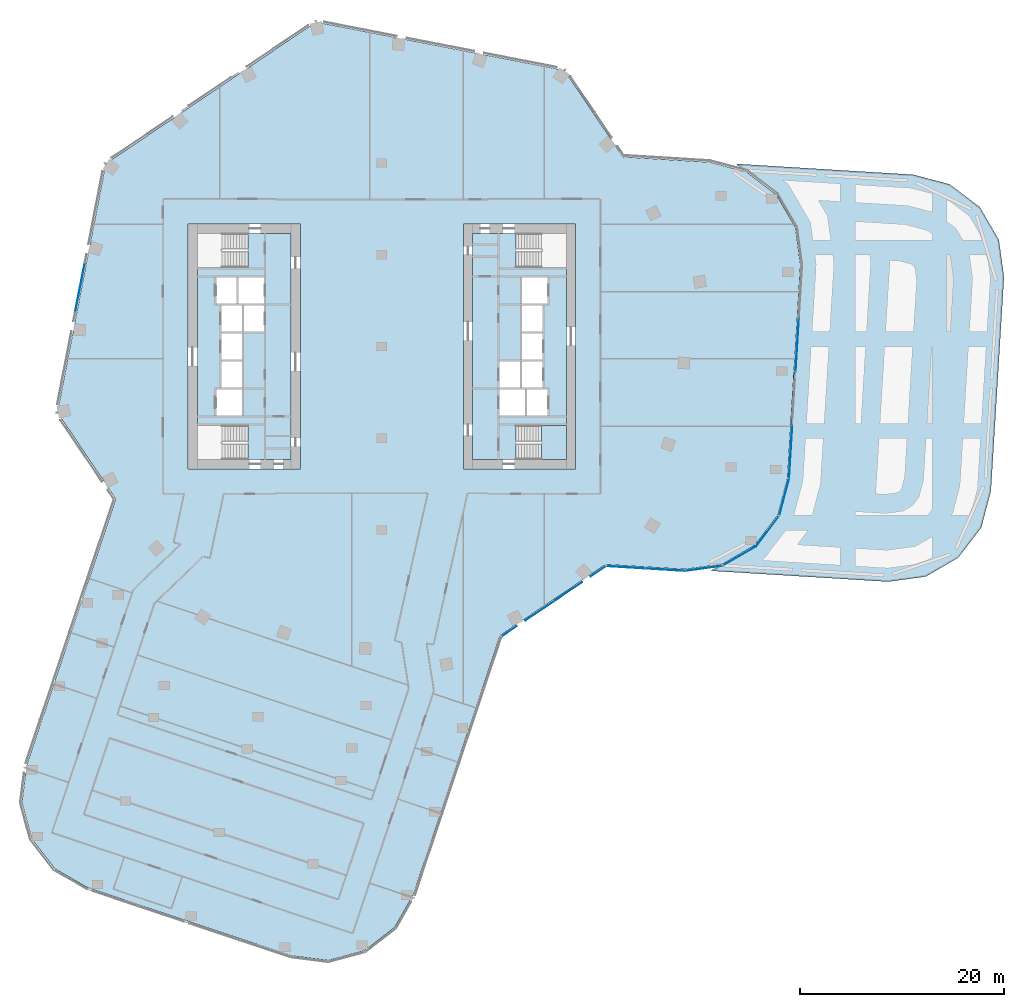
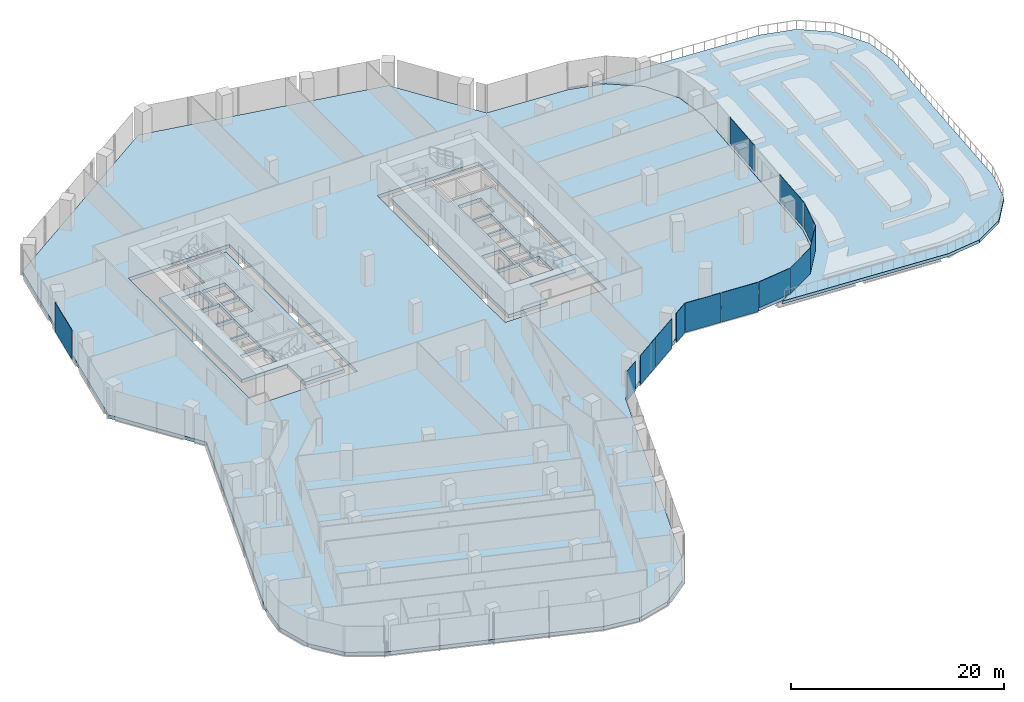
# One storey, part 16 of 26: 13 plates, 5 slabs, 9 elements without a shape of their own.
"""IFC4 building model written with IfcOpenShell, lengths in metres."""

from ifc_helpers import new_model, si_unit, direction, frame, origin, origin_2d, place, context, subcontext, project, spatial, polyline, rectangle, outline, extrude, material, layer, layer_set, type_object, element, aggregate, save


model = new_model("IFC4")

# Units and contexts
model_context = context("Model", 3, precision=1e-05, world=origin(), true_north=direction((0.0, 1.0)))
body_context = subcontext(model_context, "Body", "Model", "MODEL_VIEW")
ifc_project = project(units=[si_unit("LENGTHUNIT", "METRE"), si_unit("AREAUNIT", "SQUARE_METRE"), si_unit("VOLUMEUNIT", "CUBIC_METRE"), si_unit("PLANEANGLEUNIT", "RADIAN"), si_unit("MASSUNIT", "GRAM", prefix="KILO")], contexts=[model_context])

# Site, building, storey
site_placement = place(None, origin())
site = spatial("IfcSite", under=ifc_project, at=site_placement, CompositionType="ELEMENT")
building_placement = place(site_placement, origin())
building = spatial("IfcBuilding", under=site, at=building_placement, Name="Orlundy Tower", CompositionType="ELEMENT")
storey_placement = place(building_placement, frame((0.0, 0.0, 156.10009765625)))
storey = spatial("IfcBuildingStorey", under=building, at=storey_placement, Name="L40", CompositionType="ELEMENT", Elevation=156.10009765625)

# Curtain wall, plate
ifc_material_1 = material(Name="Aluminium bronze anodised", Category="aluminium")
curtain_wall_type = type_object("IfcCurtainWallType", Name="CW1 wall", PredefinedType="NOTDEFINED", material=ifc_material_1)
curtain_wall_1_placement = place(storey_placement, origin())
curtain_wall_1 = element("IfcCurtainWall", 1, at=curtain_wall_1_placement, inside=storey, type_object=curtain_wall_type, Name="CW1 run 02", PredefinedType="NOTDEFINED")
ifc_material_2 = material(Name="Tinted glass", Category="glass")
ifc_layer_1 = layer(ifc_material_2, 0.031982421875)
ifc_layer_set_1 = layer_set([ifc_layer_1], Name="CW1 glass panel 32")
plate_type = type_object("IfcPlateType", Name="CW1 glass panel 32", PredefinedType="CURTAIN_PANEL", material=ifc_layer_set_1)
plate_1_placement = place(storey_placement, frame((-29.610107421875, 5.75537109375, -0.280029296875), z_axis=(0.0, 0.0, 1.0), x_axis=(0.19080503976, 0.981627952333, 0.0)))
plate_1 = element("IfcPlate", 2, at=plate_1_placement, type_object=plate_type, Name="CW1 panel", PredefinedType="CURTAIN_PANEL", context=body_context, shape_type="SweptSolid", body=[
    extrude(rectangle(XDim=4.92041015625, YDim=0.031982421875, at=origin_2d()), origin(), (0.0, 0.0, 1.0), 3.3798828125),
])
aggregate(curtain_wall_1, [plate_1])

# Curtain wall, plates
curtain_wall_2_placement = place(storey_placement, origin())
curtain_wall_2 = element("IfcCurtainWall", 3, at=curtain_wall_2_placement, inside=storey, type_object=curtain_wall_type, Name="CW1 run 011", PredefinedType="NOTDEFINED")
plate_2_placement = place(storey_placement, frame((40.748046875, 0.1376953125, 0.119873046875), z_axis=(0.0, 0.0, 1.0), x_axis=(-0.061047131434, -0.998134884544, 0.0)))
plate_2 = element("IfcPlate", 4, at=plate_2_placement, type_object=plate_type, Name="CW1 panel", PredefinedType="CURTAIN_PANEL", context=body_context, shape_type="SweptSolid", body=[
    extrude(rectangle(XDim=5.199951171875, YDim=0.031982421875, at=origin_2d()), origin(), (0.0, 0.0, 1.0), 2.97998046875),
])
plate_3_placement = place(storey_placement, frame((40.1064453125, -10.350830078125, 0.119873046875), z_axis=(0.0, 0.0, 1.0), x_axis=(-0.061047131434, -0.998134884544, 0.0)))
plate_3 = element("IfcPlate", 5, at=plate_3_placement, type_object=plate_type, Name="CW1 panel", PredefinedType="CURTAIN_PANEL", context=body_context, shape_type="SweptSolid", body=[
    extrude(rectangle(XDim=5.216064453125, YDim=0.031982421875, at=origin_2d()), origin(), (0.0, 0.0, 1.0), 2.97998046875),
])
aggregate(curtain_wall_2, [plate_2, plate_3])

# Curtain wall, plate
curtain_wall_3_placement = place(storey_placement, origin())
curtain_wall_3 = element("IfcCurtainWall", 6, at=curtain_wall_3_placement, inside=storey, type_object=curtain_wall_type, Name="CW1 run 012", PredefinedType="NOTDEFINED")
plate_4_placement = place(storey_placement, frame((39.46484375, -14.806884765625, 0.119873046875), z_axis=(0.0, 0.0, 1.0), x_axis=(-0.254453453106, -0.96708502222, 0.0)))
plate_4 = element("IfcPlate", 7, at=plate_4_placement, type_object=plate_type, Name="CW1 panel", PredefinedType="CURTAIN_PANEL", context=body_context, shape_type="SweptSolid", body=[
    extrude(rectangle(XDim=3.729736328125, YDim=0.031982421875, at=origin_2d()), origin(), (0.0, 0.0, 1.0), 2.97998046875),
])
aggregate(curtain_wall_3, [plate_4])

curtain_wall_4_placement = place(storey_placement, origin())
curtain_wall_4 = element("IfcCurtainWall", 8, at=curtain_wall_4_placement, inside=storey, type_object=curtain_wall_type, Name="CW1 run 013", PredefinedType="NOTDEFINED")
plate_5_placement = place(storey_placement, frame((37.8486328125, -18.11181640625, 0.119873046875), z_axis=(0.0, 0.0, 1.0), x_axis=(-0.605295262364, -0.796001033516, 0.0)))
plate_5 = element("IfcPlate", 9, at=plate_5_placement, type_object=plate_type, Name="CW1 panel", PredefinedType="CURTAIN_PANEL", context=body_context, shape_type="SweptSolid", body=[
    extrude(rectangle(XDim=3.7724609375, YDim=0.031982421875, at=origin_2d()), origin(), (0.0, 0.0, 1.0), 2.97998046875),
])
aggregate(curtain_wall_4, [plate_5])

curtain_wall_5_placement = place(storey_placement, origin())
curtain_wall_5 = element("IfcCurtainWall", 10, at=curtain_wall_5_placement, inside=storey, type_object=curtain_wall_type, Name="CW1 run 014", PredefinedType="NOTDEFINED")
plate_6_placement = place(storey_placement, frame((35.07763671875, -20.563232421875, 0.119873046875), z_axis=(0.0, 0.0, 1.0), x_axis=(-0.863876736944, -0.503703269164, 0.0)))
plate_6 = element("IfcPlate", 11, at=plate_6_placement, type_object=plate_type, Name="CW1 panel", PredefinedType="CURTAIN_PANEL", context=body_context, shape_type="SweptSolid", body=[
    extrude(rectangle(XDim=3.771728515625, YDim=0.031982421875, at=origin_2d()), origin(), (0.0, 0.0, 1.0), 2.97998046875),
])
aggregate(curtain_wall_5, [plate_6])

curtain_wall_6_placement = place(storey_placement, origin())
curtain_wall_6 = element("IfcCurtainWall", 12, at=curtain_wall_6_placement, inside=storey, type_object=curtain_wall_type, Name="CW1 run 015", PredefinedType="NOTDEFINED")
plate_7_placement = place(storey_placement, frame((31.600341796875, -21.7646484375, 0.119873046875), z_axis=(0.0, 0.0, 1.0), x_axis=(-0.990861331967, -0.134884472094, 0.0)))
plate_7 = element("IfcPlate", 13, at=plate_7_placement, type_object=plate_type, Name="CW1 panel", PredefinedType="CURTAIN_PANEL", context=body_context, shape_type="SweptSolid", body=[
    extrude(rectangle(XDim=3.73046875, YDim=0.031982421875, at=origin_2d()), origin(), (0.0, 0.0, 1.0), 2.97998046875),
])
aggregate(curtain_wall_6, [plate_7])

# Curtain wall, plates
curtain_wall_7_placement = place(storey_placement, origin())
curtain_wall_7 = element("IfcCurtainWall", 14, at=curtain_wall_7_placement, inside=storey, type_object=curtain_wall_type, Name="CW1 run 016", PredefinedType="NOTDEFINED")
plate_8_placement = place(storey_placement, frame((27.77685546875, -21.900390625, -0.280029296875), z_axis=(0.0, 0.0, 1.0), x_axis=(-0.998136147812, 0.061026473193, 0.0)))
plate_8 = element("IfcPlate", 15, at=plate_8_placement, type_object=plate_type, Name="CW1 panel", PredefinedType="CURTAIN_PANEL", context=body_context, shape_type="SweptSolid", body=[
    extrude(rectangle(XDim=3.857666015625, YDim=0.031982421875, at=origin_2d()), origin(), (0.0, 0.0, 1.0), 3.3798828125),
])
plate_9_placement = place(storey_placement, frame((23.899658203125, -21.663330078125, -0.280029296875), z_axis=(0.0, 0.0, 1.0), x_axis=(-0.998136147812, 0.061026473193, 0.0)))
plate_9 = element("IfcPlate", 16, at=plate_9_placement, type_object=plate_type, Name="CW1 panel", PredefinedType="CURTAIN_PANEL", context=body_context, shape_type="SweptSolid", body=[
    extrude(rectangle(XDim=3.81103515625, YDim=0.031982421875, at=origin_2d()), origin(), (0.0, 0.0, 1.0), 3.3798828125),
])
aggregate(curtain_wall_7, [plate_8, plate_9])

curtain_wall_8_placement = place(storey_placement, origin())
curtain_wall_8 = element("IfcCurtainWall", 17, at=curtain_wall_8_placement, inside=storey, type_object=curtain_wall_type, Name="CW1 run 017", PredefinedType="NOTDEFINED")
plate_10_placement = place(storey_placement, frame((21.2470703125, -22.05322265625, -0.280029296875), z_axis=(0.0, 0.0, 1.0), x_axis=(-0.829056587538, -0.559164711565, 0.0)))
plate_10 = element("IfcPlate", 18, at=plate_10_placement, type_object=plate_type, Name="CW1 panel", PredefinedType="CURTAIN_PANEL", context=body_context, shape_type="SweptSolid", body=[
    extrude(rectangle(XDim=1.810791015625, YDim=0.031982421875, at=origin_2d()), origin(), (0.0, 0.0, 1.0), 3.3798828125),
])
plate_11_placement = place(storey_placement, frame((18.269775390625, -24.061279296875, -0.280029296875), z_axis=(0.0, 0.0, 1.0), x_axis=(-0.829056587538, -0.559164711565, 0.0)))
plate_11 = element("IfcPlate", 19, at=plate_11_placement, type_object=plate_type, Name="CW1 panel", PredefinedType="CURTAIN_PANEL", context=body_context, shape_type="SweptSolid", body=[
    extrude(rectangle(XDim=3.33203125, YDim=0.031982421875, at=origin_2d()), origin(), (0.0, 0.0, 1.0), 3.3798828125),
])
plate_12_placement = place(storey_placement, frame((15.465576171875, -25.95263671875, -0.280029296875), z_axis=(0.0, 0.0, 1.0), x_axis=(-0.829056587538, -0.559164711565, 0.0)))
plate_12 = element("IfcPlate", 20, at=plate_12_placement, type_object=plate_type, Name="CW1 panel", PredefinedType="CURTAIN_PANEL", context=body_context, shape_type="SweptSolid", body=[
    extrude(rectangle(XDim=3.33251953125, YDim=0.031982421875, at=origin_2d()), origin(), (0.0, 0.0, 1.0), 3.3798828125),
])
plate_13_placement = place(storey_placement, frame((12.487548828125, -27.961181640625, -0.280029296875), z_axis=(0.0, 0.0, 1.0), x_axis=(-0.829056587538, -0.559164711565, 0.0)))
plate_13 = element("IfcPlate", 21, at=plate_13_placement, type_object=plate_type, Name="CW1 panel", PredefinedType="CURTAIN_PANEL", context=body_context, shape_type="SweptSolid", body=[
    extrude(rectangle(XDim=1.808837890625, YDim=0.031982421875, at=origin_2d()), origin(), (0.0, 0.0, 1.0), 3.3798828125),
])
aggregate(curtain_wall_8, [plate_10, plate_11, plate_12, plate_13])

# Slabs
ifc_material_3 = material(Name="Concrete C50/60", Category="concrete")
ifc_layer_2 = layer(ifc_material_3, 0.409912109375)
ifc_layer_set_2 = layer_set([ifc_layer_2], Name="Core Floor Slab 410")
slab_type_1 = type_object("IfcSlabType", Name="Core Floor Slab 410", PredefinedType="FLOOR", material=ifc_layer_set_2)
slab_1_placement = place(storey_placement, frame((0.0, 0.0, -0.41015625)))
element("IfcSlab", 22, at=slab_1_placement, inside=storey, type_object=slab_type_1, Name="Core floor W31", PredefinedType="FLOOR", context=body_context, shape_type="SweptSolid", body=[
    extrude(outline(polyline([(-13.14501953125, -11.10009765625), (-13.14501953125, -7.75), (-18.10009765625, -7.75), (-18.10009765625, 7.75), (-13.14501953125, 7.75), (-13.14501953125, 11.10009765625), (-8.89990234375, 11.10009765625), (-8.89990234375, -11.10009765625), (-13.14501953125, -11.10009765625)]), holes=[polyline([(-13.739990234375, -4.22509765625), (-16.239990234375, -4.22509765625), (-16.239990234375, -6.77490234375), (-13.739990234375, -6.77490234375), (-13.739990234375, -4.22509765625)]), polyline([(-13.739990234375, -4.02490234375), (-13.739990234375, -1.47509765625), (-15.739990234375, -1.47509765625), (-15.739990234375, -4.02490234375), (-13.739990234375, -4.02490234375)]), polyline([(-15.739990234375, -1.27490234375), (-13.739990234375, -1.27490234375), (-13.739990234375, 1.27490234375), (-15.739990234375, 1.27490234375), (-15.739990234375, -1.27490234375)]), polyline([(-13.5400390625, 4.02490234375), (-13.5400390625, 1.47509765625), (-11.5400390625, 1.47509765625), (-11.5400390625, 4.02490234375), (-13.5400390625, 4.02490234375)]), polyline([(-13.739990234375, 4.02490234375), (-15.739990234375, 4.02490234375), (-15.739990234375, 1.47509765625), (-13.739990234375, 1.47509765625), (-13.739990234375, 4.02490234375)]), polyline([(-11.5400390625, 4.22509765625), (-11.5400390625, 6.77490234375), (-14.0400390625, 6.77490234375), (-14.0400390625, 4.22509765625), (-11.5400390625, 4.22509765625)]), polyline([(-16.239990234375, 4.22509765625), (-14.239990234375, 4.22509765625), (-14.239990234375, 6.77490234375), (-16.239990234375, 6.77490234375), (-16.239990234375, 4.22509765625)])]), origin(), (0.0, 0.0, 1.0), 0.41015625),
])
slab_2_placement = place(storey_placement, frame((0.0, 0.0, -0.41015625)))
element("IfcSlab", 23, at=slab_2_placement, inside=storey, type_object=slab_type_1, Name="Core floor E31", PredefinedType="FLOOR", context=body_context, shape_type="SweptSolid", body=[
    extrude(outline(polyline([(13.14501953125, 11.10009765625), (13.14501953125, 7.75), (18.10009765625, 7.75), (18.10009765625, -7.75), (13.14501953125, -7.75), (13.14501953125, -11.10009765625), (8.89990234375, -11.10009765625), (8.89990234375, 11.10009765625), (13.14501953125, 11.10009765625)]), holes=[polyline([(13.739990234375, 4.22509765625), (16.239990234375, 4.22509765625), (16.239990234375, 6.77490234375), (13.739990234375, 6.77490234375), (13.739990234375, 4.22509765625)]), polyline([(13.739990234375, 4.02490234375), (13.739990234375, 1.47509765625), (15.739990234375, 1.47509765625), (15.739990234375, 4.02490234375), (13.739990234375, 4.02490234375)]), polyline([(15.739990234375, 1.27490234375), (13.739990234375, 1.27490234375), (13.739990234375, -1.27490234375), (15.739990234375, -1.27490234375), (15.739990234375, 1.27490234375)]), polyline([(13.5400390625, -4.02490234375), (13.5400390625, -1.47509765625), (11.5400390625, -1.47509765625), (11.5400390625, -4.02490234375), (13.5400390625, -4.02490234375)]), polyline([(13.739990234375, -4.02490234375), (15.739990234375, -4.02490234375), (15.739990234375, -1.47509765625), (13.739990234375, -1.47509765625), (13.739990234375, -4.02490234375)]), polyline([(11.5400390625, -4.22509765625), (11.5400390625, -6.77490234375), (14.0400390625, -6.77490234375), (14.0400390625, -4.22509765625), (11.5400390625, -4.22509765625)]), polyline([(16.239990234375, -4.22509765625), (14.239990234375, -4.22509765625), (14.239990234375, -6.77490234375), (16.239990234375, -6.77490234375), (16.239990234375, -4.22509765625)])]), origin(), (0.0, 0.0, 1.0), 0.41015625),
])

# Stair, slab
ifc_material_4 = material(Name="Concrete C50/60", Category="concrete")
stair_type = type_object("IfcStairType", Name="Exit Stair 20 risers", PredefinedType="HALF_TURN_STAIR", material=ifc_material_4)
stair_placement = place(storey_placement, origin())
stair = element("IfcStair", 24, at=stair_placement, inside=storey, type_object=stair_type, Name="L40 Exit Stair ST-E1", PredefinedType="HALF_TURN_STAIR")
ifc_material_5 = material(Name="Concrete C50/60", Category="concrete")
ifc_layer_3 = layer(ifc_material_5, 0.199951171875)
ifc_layer_set_3 = layer_set([ifc_layer_3], Name="Exit Stair Landing")
slab_type_2 = type_object("IfcSlabType", Name="Exit Stair Landing", PredefinedType="LANDING", material=ifc_layer_set_3)
slab_3_placement = place(storey_placement, frame((0.0, 0.0, 1.5498046875)))
slab_3 = element("IfcSlab", 25, at=slab_3_placement, type_object=slab_type_2, Name="ST-E1 landing 1", PredefinedType="LANDING", context=body_context, shape_type="SweptSolid", body=[
    extrude(outline(polyline([(15.659912109375, -11.10009765625), (18.10009765625, -11.10009765625), (18.10009765625, -7.75), (15.659912109375, -7.75), (15.659912109375, -11.10009765625)])), origin(), (0.0, 0.0, 1.0), 0.2001953125),
])
aggregate(stair, [slab_3])

# Slabs
ifc_material_6 = material(Name="Concrete C45/55", Category="concrete")
ifc_layer_4 = layer(ifc_material_6, 0.39990234375)
ifc_layer_set_4 = layer_set([ifc_layer_4], Name="FLOOR SLAB THICK 400 C45/55")
slab_type_3 = type_object("IfcSlabType", Name="FLOOR SLAB THICK 400 C45/55", PredefinedType="FLOOR", material=ifc_layer_set_4)
slab_4_placement = place(storey_placement, frame((0.0, 0.0, -0.400146484375)))
element("IfcSlab", 26, at=slab_4_placement, inside=storey, type_object=slab_type_3, Name="Floor slab L40", PredefinedType="FLOOR", context=body_context, shape_type="SweptSolid", body=[
    extrude(outline(polyline([(-26.095947265625, -14.9599609375), (-31.820068359375, -6.47412109375), (-27.077880859375, 17.922119140625), (-6.47412109375, 31.820068359375), (17.922119140625, 27.077880859375), (23.64697265625, 18.591064453125), (32.1630859375, 18.070068359375), (35.748046875, 17.1259765625), (38.697998046875, 14.883056640625), (40.56591796875, 11.680908203125), (41.06494140625, 8.008056640625), (39.782958984375, -12.952880859375), (38.840087890625, -16.537109375), (36.595947265625, -19.488037109375), (33.39404296875, -21.35498046875), (29.720947265625, -21.85498046875), (21.951904296875, -21.3798828125), (11.60009765625, -28.362060546875), (3.10107421875, -53.761962890625), (1.261962890625, -56.97998046875), (-1.6689453125, -59.25), (-5.2451171875, -60.22509765625), (-8.922119140625, -59.757080078125), (-28.8369140625, -53.093994140625), (-32.054931640625, -51.25390625), (-34.324951171875, -48.322998046875), (-35.299072265625, -44.7470703125), (-34.83203125, -41.070068359375), (-26.095947265625, -14.9599609375)]), holes=[polyline([(-8.0, -12.0), (-8.0, 12.0), (-19.0, 12.0), (-19.0, -12.0), (-8.0, -12.0)]), polyline([(19.0, -12.0), (19.0, 12.0), (8.0, 12.0), (8.0, -12.0), (19.0, -12.0)])]), origin(), (0.0, 0.0, 1.0), 0.400146484375),
])
ifc_material_7 = material(Name="Concrete C45/55", Category="concrete")
ifc_layer_5 = layer(ifc_material_7, 0.35009765625)
ifc_layer_set_5 = layer_set([ifc_layer_5], Name="TERRACE SLAB 350 C45/55")
slab_type_4 = type_object("IfcSlabType", Name="TERRACE SLAB 350 C45/55", PredefinedType="ROOF", material=ifc_layer_set_5)
slab_5_placement = place(storey_placement, frame((0.0, 0.0, -0.35009765625)))
element("IfcSlab", 27, at=slab_5_placement, inside=storey, type_object=slab_type_4, Name="Terrace slab L40-1", PredefinedType="ROOF", context=body_context, shape_type="SweptSolid", body=[
    extrude(outline(polyline([(32.27001953125, -22.010986328125), (36.595947265625, -19.488037109375), (38.840087890625, -16.537109375), (39.782958984375, -12.952880859375), (41.06494140625, 8.008056640625), (40.56591796875, 11.680908203125), (38.697998046875, 14.883056640625), (34.7109375, 17.9140625), (52.1259765625, 16.84912109375), (55.7099609375, 15.905029296875), (58.660888671875, 13.662109375), (60.528076171875, 10.4599609375), (61.028076171875, 6.787109375), (59.74609375, -14.174072265625), (58.802001953125, -17.758056640625), (56.55908203125, -20.708984375), (53.35693359375, -22.575927734375), (49.68408203125, -23.075927734375), (32.27001953125, -22.010986328125)])), origin(), (0.0, 0.0, 1.0), 0.35009765625),
])

save(model, "model.ifc")
